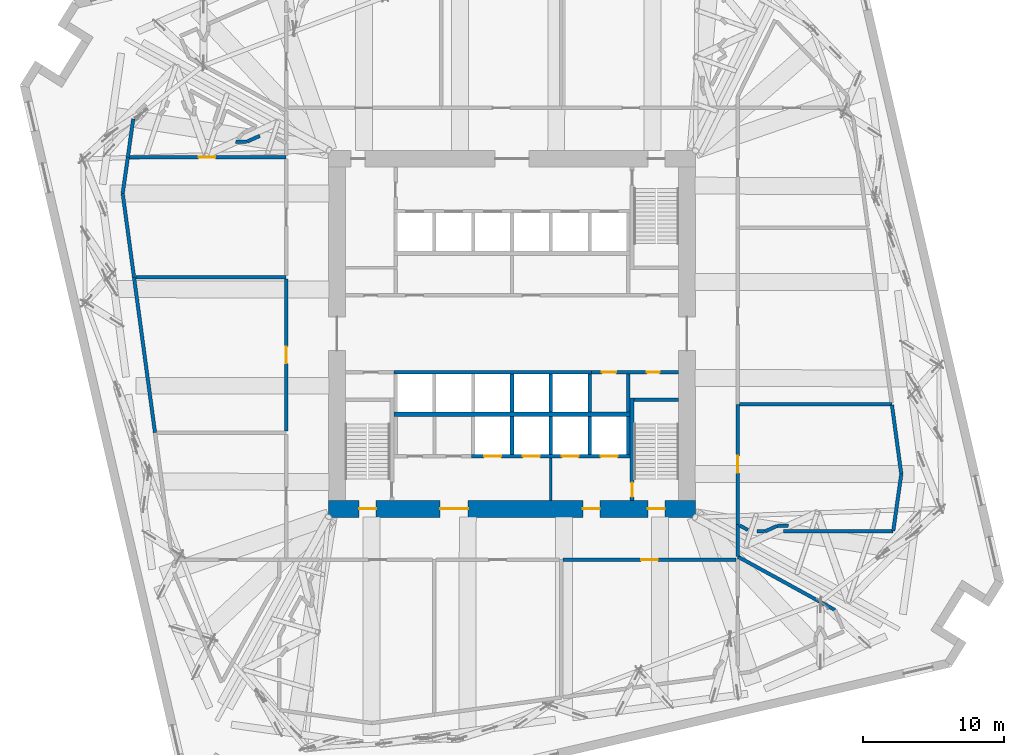
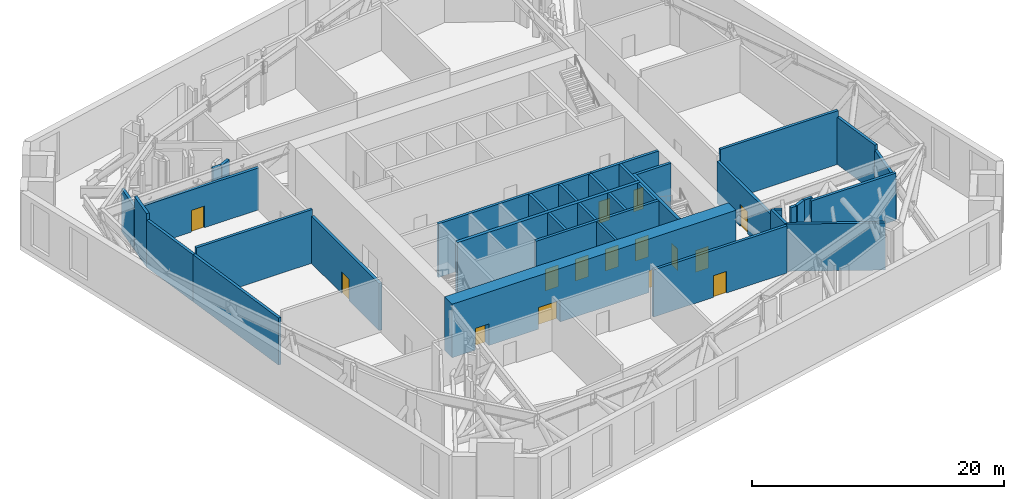
# One storey, part 9 of 17: 37 walls, 15 doors, 15 openings.
"""IFC4 building model written with IfcOpenShell, lengths in metres."""

import ifcopenshell
import ifcopenshell.guid

model = None  # the IFC model being written
_history = None  # IfcOwnerHistory: only IFC2X3 demands one
_inside = {}  # id of a spatial element -> (the spatial element, [elements in it])
_under = {}  # id of a project, library or spatial element -> (it, [spatial elements below it])
_declared = {}  # id of a project -> (the project, [libraries it declares])
_typed = {}  # id of a type object -> (the type object, [elements of that type])
_made_of = {}  # id of a material, layer set ... -> (it, [elements and type objects made of it])


def new_model(schema):
    """Start an empty IFC model of exactly this schema.

    Asked for "IFC4X3", IfcOpenShell would pick the latest addendum, in which some entities
    have other attributes; the version numbers below select the first issue.
    IFC2X3 requires an IfcOwnerHistory on every rooted entity: one is made here for all.
    """
    global model, _history
    if schema == "IFC4X3":
        model = ifcopenshell.file(schema_version=(4, 3, 0, 0))
    else:
        model = ifcopenshell.file(schema=schema)
    _inside.clear()
    _under.clear()
    _declared.clear()
    _typed.clear()
    _made_of.clear()
    _history = None
    if model.schema == "IFC2X3":
        org = make("IfcOrganization", Name="unknown")
        user = make(
            "IfcPersonAndOrganization",
            ThePerson=make("IfcPerson", FamilyName="unknown"),
            TheOrganization=org,
        )
        app = make(
            "IfcApplication",
            ApplicationDeveloper=org,
            Version="unknown",
            ApplicationFullName="unknown",
            ApplicationIdentifier="unknown",
        )
        _history = make(
            "IfcOwnerHistory",
            OwningUser=user,
            OwningApplication=app,
            ChangeAction="ADDED",
            CreationDate=0,
        )
    return model


def make(cls, **values):
    """One entity of the class cls with the attributes given. An attribute that is None is left unset."""
    return model.create_entity(
        cls, **{name: value for name, value in values.items() if value is not None}
    )


def rooted(cls, **values):
    """An entity with a GlobalId (a new one), such as an element, a storey or a relation."""
    return make(cls, GlobalId=ifcopenshell.guid.new(), OwnerHistory=_history, **values)


def si_unit(unit_type, name, prefix=None):
    """IfcSIUnit, for example si_unit("LENGTHUNIT", "METRE", prefix="MILLI")."""
    return make("IfcSIUnit", UnitType=unit_type, Prefix=prefix, Name=name)


def assignment(units):
    """IfcUnitAssignment: the units of a project."""
    return None if units is None else make("IfcUnitAssignment", Units=units)


def point(xyz):
    """IfcCartesianPoint."""
    return None if xyz is None else make("IfcCartesianPoint", Coordinates=xyz)


def direction(xyz):
    """IfcDirection."""
    return None if xyz is None else make("IfcDirection", DirectionRatios=xyz)


def frame(location, z_axis=None, x_axis=None):
    """IfcAxis2Placement3D, a coordinate frame: its origin and axes. An axis left out is left unset."""
    return make(
        "IfcAxis2Placement3D",
        Location=point(location),
        Axis=direction(z_axis),
        RefDirection=direction(x_axis),
    )


def frame_2d(location, x_axis=None):
    """IfcAxis2Placement2D, a coordinate frame in the plane: its origin and x axis."""
    return make(
        "IfcAxis2Placement2D", Location=point(location), RefDirection=direction(x_axis)
    )


def origin():
    """The frame at (0, 0, 0) with its axes left unset."""
    return frame((0.0, 0.0, 0.0))


def place(relative_to, where):
    """IfcLocalPlacement: puts the frame where relative to a parent placement (None: the world)."""
    return make(
        "IfcLocalPlacement", PlacementRelTo=relative_to, RelativePlacement=where
    )


def context(
    kind, dimensions, precision=None, world=None, true_north=None, identifier=None
):
    """IfcGeometricRepresentationContext, for example the 3D "Model" context."""
    return make(
        "IfcGeometricRepresentationContext",
        ContextIdentifier=identifier,
        ContextType=kind,
        CoordinateSpaceDimension=dimensions,
        Precision=precision,
        WorldCoordinateSystem=world,
        TrueNorth=true_north,
    )


def subcontext(parent, identifier, kind, view, scale=None):
    """IfcGeometricRepresentationSubContext, for example "Body" below "Model"."""
    return make(
        "IfcGeometricRepresentationSubContext",
        ContextIdentifier=identifier,
        ContextType=kind,
        ParentContext=parent,
        TargetScale=scale,
        TargetView=view,
    )


def project(units=None, contexts=None):
    """IfcProject with its units and contexts."""
    return rooted(
        "IfcProject",
        Name="project",
        RepresentationContexts=contexts,
        UnitsInContext=assignment(units),
    )


def spatial(cls, under=None, at=None, **own):
    """A site, building, storey or space (cls), placed at a placement, below another one or the project."""
    s = rooted(cls, ObjectPlacement=at, **own)
    if under is not None:
        _under.setdefault(under.id(), (under, []))[1].append(s)
    return s


def profile(cls, at=None, kind="AREA", **sizes):
    """A parametric profile (cls). Its sizes go by their IFC names, for example OverallWidth=200.0."""
    return make(cls, ProfileType=kind, Position=at, **sizes)


def rectangle(**sizes):
    """IfcRectangleProfileDef."""
    return profile("IfcRectangleProfileDef", **sizes)


def extrude(swept, where, along, depth):
    """IfcExtrudedAreaSolid: the profile swept, set in the frame where, extruded along a direction by depth."""
    return make(
        "IfcExtrudedAreaSolid",
        SweptArea=swept,
        Position=where,
        ExtrudedDirection=direction(along),
        Depth=depth,
    )


def shape(context_of_items, identifier, shape_type, items):
    """IfcShapeRepresentation: the items that make up one representation, for example the "Body"."""
    return make(
        "IfcShapeRepresentation",
        ContextOfItems=context_of_items,
        RepresentationIdentifier=identifier,
        RepresentationType=shape_type,
        Items=items,
    )


def material(Name=None, Category=None):
    """IfcMaterial."""
    return make("IfcMaterial", Name=Name, Category=Category)


def layer(
    of_material, thickness, ventilated=None, Name=None, Category=None, Priority=None
):
    """IfcMaterialLayer: one layer of a wall or slab, of a material (None: an air gap)."""
    return make(
        "IfcMaterialLayer",
        Material=of_material,
        LayerThickness=thickness,
        IsVentilated=ventilated,
        Name=Name,
        Category=Category,
        Priority=Priority,
    )


def layer_set(layers, Name=None):
    """IfcMaterialLayerSet."""
    return make("IfcMaterialLayerSet", MaterialLayers=layers, LayerSetName=Name)


def made_of(thing, what):
    """Note that an element or type object is made of a material, layer set ...; save() writes the relation."""
    if what is not None:
        _made_of.setdefault(what.id(), (what, []))[1].append(thing)
    return thing


def type_object(cls, material=None, **own):
    """A type object (cls), such as IfcWallType, which elements share."""
    return made_of(rooted(cls, **own), material)


def element(
    cls,
    number,
    at=None,
    inside=None,
    cuts=None,
    type_object=None,
    material=None,
    context=None,
    identifier="Body",
    shape_type=None,
    held_by="IfcProductDefinitionShape",
    body=None,
    shapes=None,
    **own,
):
    """One element of the class cls, such as IfcWall. Its Tag is "e" and its number.

    at: its placement. inside: the storey or other place that contains it. cuts: it is an
    opening in that element (IfcRelVoidsElement). A single representation is given by context,
    identifier, shape_type and body (its items); several are given by shapes. held_by: the class
    of the entity that holds the representations. save() writes the other relations.
    """
    e = rooted(cls, Tag="e%d" % number, ObjectPlacement=at, **own)
    if body is not None:
        shapes = [shape(context, identifier, shape_type, body)]
    if shapes is not None:
        e.Representation = make(held_by, Representations=shapes)
    if inside is not None:
        _inside.setdefault(inside.id(), (inside, []))[1].append(e)
    if cuts is not None:
        rooted(
            "IfcRelVoidsElement", RelatingBuildingElement=cuts, RelatedOpeningElement=e
        )
    if type_object is not None:
        _typed.setdefault(type_object.id(), (type_object, []))[1].append(e)
    return made_of(e, material)


def fill(opening, filler):
    """IfcRelFillsElement: the door or window that sits in an opening."""
    return rooted(
        "IfcRelFillsElement",
        RelatingOpeningElement=opening,
        RelatedBuildingElement=filler,
    )


def aggregate(whole, parts):
    """IfcRelAggregates: a whole, such as a stair, and the parts it consists of."""
    return rooted("IfcRelAggregates", RelatingObject=whole, RelatedObjects=parts)


def save(model, path):
    """Write the relations noted so far, then the file.

    IfcRelAggregates (storeys below a building ...), IfcRelContainedInSpatialStructure (elements
    in a storey), IfcRelDefinesByType, IfcRelAssociatesMaterial and IfcRelDeclares: one each for
    every whole, place, type object, material and project.
    """
    for whole, parts in _under.values():
        aggregate(whole, parts)
    for where, things in _inside.values():
        rooted(
            "IfcRelContainedInSpatialStructure",
            RelatedElements=things,
            RelatingStructure=where,
        )
    for kind, things in _typed.values():
        rooted("IfcRelDefinesByType", RelatedObjects=things, RelatingType=kind)
    for what, things in _made_of.values():
        rooted("IfcRelAssociatesMaterial", RelatedObjects=things, RelatingMaterial=what)
    for by, libraries in _declared.values():
        rooted("IfcRelDeclares", RelatingContext=by, RelatedDefinitions=libraries)
    model.write(path)


model = new_model("IFC4")

# Units and contexts
model_context = context("Model", 3, precision=1e-05, world=origin(), true_north=direction((0.0, 1.0)))
body_context = subcontext(model_context, "Body", "Model", "MODEL_VIEW")
ifc_project = project(units=[si_unit("LENGTHUNIT", "METRE"), si_unit("AREAUNIT", "SQUARE_METRE"), si_unit("VOLUMEUNIT", "CUBIC_METRE"), si_unit("PLANEANGLEUNIT", "RADIAN"), si_unit("MASSUNIT", "GRAM", prefix="KILO")], contexts=[model_context])

# Site, building, storey
site_placement = place(None, origin())
site = spatial("IfcSite", under=ifc_project, at=site_placement, CompositionType="ELEMENT")
building_placement = place(site_placement, origin())
building = spatial("IfcBuilding", under=site, at=building_placement, Name="Dilmun Exchange Tower", CompositionType="ELEMENT")
storey_placement = place(building_placement, frame((0.0, 0.0, 76.5)))
storey = spatial("IfcBuildingStorey", under=building, at=storey_placement, Name="L17", CompositionType="ELEMENT", Elevation=76.5)

# Walls
ifc_material_1 = material(Name="Concrete C40/50", Category="concrete")
ifc_layer_1 = layer(ifc_material_1, 0.199951171875)
ifc_layer_set_1 = layer_set([ifc_layer_1], Name="Concrete C40/50")
wall_type_1 = type_object("IfcWallType", Name="Core partition wall 200", PredefinedType="PARTITIONING", material=ifc_layer_set_1)
wall_1_placement = place(storey_placement, frame((2.75, -11.794921875, 0.0), z_axis=(0.0, 0.0, 1.0), x_axis=(0.0, 1.0, 0.0)))
element("IfcWall", 1, at=wall_1_placement, inside=storey, type_object=wall_type_1, Name="L17 core partition wall 01", PredefinedType="PARTITIONING", context=body_context, shape_type="SweptSolid", body=[
    extrude(rectangle(XDim=2.989990234375, YDim=0.199951171875, at=frame_2d((1.4951171875, 0.0))), origin(), (0.0, 0.0, 1.0), 5.179931640625),
])
ifc_layer_2 = layer(ifc_material_1, 0.25)
ifc_layer_set_2 = layer_set([ifc_layer_2], Name="Concrete C40/50")
wall_type_2 = type_object("IfcWallType", Name="Core partition wall 250", PredefinedType="PARTITIONING", material=ifc_layer_set_2)
wall_2_placement = place(storey_placement, frame((8.25, -5.544921875, 0.0), z_axis=(0.0, 0.0, 1.0), x_axis=(0.0, 1.0, 0.0)))
element("IfcWall", 2, at=wall_2_placement, inside=storey, type_object=wall_type_2, Name="L17 core partition wall 05", PredefinedType="PARTITIONING", context=body_context, shape_type="SweptSolid", body=[
    extrude(rectangle(XDim=2.68994140625, YDim=0.25, at=frame_2d((1.344970703125, 0.0))), origin(), (0.0, 0.0, 1.0), 5.179931640625),
])

# Wall, openings, doors
wall_3_placement = place(storey_placement, frame((5.6298828125, -2.72509765625, 0.0), z_axis=(0.0, 0.0, 1.0), x_axis=(1.0, 0.0, 0.0)))
wall_3 = element("IfcWall", 3, at=wall_3_placement, inside=storey, type_object=wall_type_2, Name="L17 core partition wall 07", PredefinedType="PARTITIONING", context=body_context, shape_type="SweptSolid", body=[
    extrude(rectangle(XDim=6.1650390625, YDim=0.25, at=frame_2d((3.08251953125, 0.0))), origin(), (0.0, 0.0, 1.0), 5.179931640625),
])
opening_1_placement = place(wall_3_placement, frame((0.7451171875, 0.0, 0.0)))
opening_1 = element("IfcOpeningElement", 4, at=opening_1_placement, cuts=wall_3, Name="Opening CD4", PredefinedType="OPENING", context=body_context, shape_type="SweptSolid", body=[
    extrude(rectangle(XDim=1.0, YDim=2.10009765625, at=frame_2d((0.5, 1.050048828125))), frame((0.0, 0.135009765625, 0.0), z_axis=(0.0, -1.0, 0.0), x_axis=(1.0, 0.0, 0.0)), (0.0, 0.0, 1.0), 0.27001953125),
])
opening_2_placement = place(wall_3_placement, frame((3.919921875, 0.0, 0.0)))
opening_2 = element("IfcOpeningElement", 5, at=opening_2_placement, cuts=wall_3, Name="Opening CD6", PredefinedType="OPENING", context=body_context, shape_type="SweptSolid", body=[
    extrude(rectangle(XDim=0.89990234375, YDim=2.10009765625, at=frame_2d((0.449951171875, 1.050048828125))), frame((0.0, 0.135009765625, 0.0), z_axis=(0.0, -1.0, 0.0), x_axis=(1.0, 0.0, 0.0)), (0.0, 0.0, 1.0), 0.27001953125),
])
ifc_material_2 = material(Name="Fire-rated steel door set", Category="steel")
door_type_1 = type_object("IfcDoorType", Name="Core room door 1000x2100", OperationType="SINGLE_SWING_LEFT", PredefinedType="DOOR", material=ifc_material_2)
door_1_placement = place(opening_1_placement, origin())
door_1 = element("IfcDoor", 6, at=door_1_placement, inside=storey, type_object=door_type_1, Name="L17 door Cleaners' store", OperationType="SINGLE_SWING_RIGHT", OverallHeight=2.10009765625, OverallWidth=1.0, PredefinedType="DOOR", context=body_context, shape_type="SweptSolid", body=[
    extrude(rectangle(XDim=1.0, YDim=2.10009765625, at=frame_2d((0.5, 1.050048828125))), frame((0.0, 0.02490234375, 0.0), z_axis=(0.0, -1.0, 0.0), x_axis=(1.0, 0.0, 0.0)), (0.0, 0.0, 1.0), 0.050048828125),
])
fill(opening_1, door_1)
door_type_2 = type_object("IfcDoorType", Name="Core room door 900x2100", OperationType="SINGLE_SWING_LEFT", PredefinedType="DOOR", material=ifc_material_2)
door_2_placement = place(opening_2_placement, origin())
door_2 = element("IfcDoor", 7, at=door_2_placement, inside=storey, type_object=door_type_2, Name="L17 door Comms riser", OperationType="SINGLE_SWING_RIGHT", OverallHeight=2.10009765625, OverallWidth=0.89990234375, PredefinedType="DOOR", context=body_context, shape_type="SweptSolid", body=[
    extrude(rectangle(XDim=0.89990234375, YDim=2.10009765625, at=frame_2d((0.449951171875, 1.050048828125))), frame((0.0, 0.02490234375, 0.0), z_axis=(0.0, -1.0, 0.0), x_axis=(1.0, 0.0, 0.0)), (0.0, 0.0, 1.0), 0.050048828125),
])
fill(opening_2, door_2)

ifc_material_3 = material(Name="Concrete C80/95", Category="concrete")
ifc_layer_3 = layer(ifc_material_3, 1.199951171875)
ifc_layer_set_3 = layer_set([ifc_layer_3], Name="Concrete C80/95")
wall_type_3 = type_object("IfcWallType", Name="Core shear wall 1200 Concrete C80/95", PredefinedType="SHEAR", material=ifc_layer_set_3)
wall_4_placement = place(storey_placement, frame((-13.0, -12.39990234375, 0.0), z_axis=(0.0, 0.0, 1.0), x_axis=(1.0, 0.0, 0.0)))
wall_4 = element("IfcWall", 8, at=wall_4_placement, inside=storey, type_object=wall_type_3, Name="L17 core shear wall S", PredefinedType="SHEAR", context=body_context, shape_type="SweptSolid", body=[
    extrude(rectangle(XDim=26.0, YDim=1.199951171875, at=frame_2d((13.0, 0.0))), origin(), (0.0, 0.0, 1.0), 5.179931640625),
])
opening_3_placement = place(wall_4_placement, frame((7.89990234375, 0.0, 0.0)))
opening_3 = element("IfcOpeningElement", 9, at=opening_3_placement, cuts=wall_4, Name="Opening CD2", PredefinedType="OPENING", context=body_context, shape_type="SweptSolid", body=[
    extrude(rectangle(XDim=2.0, YDim=2.10009765625, at=frame_2d((1.0, 1.050048828125))), frame((0.0, 0.60986328125, 0.0), z_axis=(0.0, -1.0, 0.0), x_axis=(1.0, 0.0, 0.0)), (0.0, 0.0, 1.0), 1.219970703125),
])
opening_4_placement = place(wall_4_placement, frame((18.02490234375, 0.0, 0.0)))
opening_4 = element("IfcOpeningElement", 10, at=opening_4_placement, cuts=wall_4, Name="Opening CD3", PredefinedType="OPENING", context=body_context, shape_type="SweptSolid", body=[
    extrude(rectangle(XDim=1.199951171875, YDim=2.10009765625, at=frame_2d((0.60009765625, 1.050048828125))), frame((0.0, 0.60986328125, 0.0), z_axis=(0.0, -1.0, 0.0), x_axis=(1.0, 0.0, 0.0)), (0.0, 0.0, 1.0), 1.219970703125),
])
opening_5_placement = place(wall_4_placement, frame((2.175048828125, 0.0, 0.0)))
opening_5 = element("IfcOpeningElement", 11, at=opening_5_placement, cuts=wall_4, Name="Opening CD3", PredefinedType="OPENING", context=body_context, shape_type="SweptSolid", body=[
    extrude(rectangle(XDim=1.199951171875, YDim=2.10009765625, at=frame_2d((0.60009765625, 1.050048828125))), frame((0.0, 0.60986328125, 0.0), z_axis=(0.0, -1.0, 0.0), x_axis=(1.0, 0.0, 0.0)), (0.0, 0.0, 1.0), 1.219970703125),
])
opening_6_placement = place(wall_4_placement, frame((22.625, 0.0, 0.0)))
opening_6 = element("IfcOpeningElement", 12, at=opening_6_placement, cuts=wall_4, Name="Opening CD3", PredefinedType="OPENING", context=body_context, shape_type="SweptSolid", body=[
    extrude(rectangle(XDim=1.199951171875, YDim=2.10009765625, at=frame_2d((0.60009765625, 1.050048828125))), frame((0.0, 0.60986328125, 0.0), z_axis=(0.0, -1.0, 0.0), x_axis=(1.0, 0.0, 0.0)), (0.0, 0.0, 1.0), 1.219970703125),
])
door_type_3 = type_object("IfcDoorType", Name="Core service door 2000x2100", OperationType="DOUBLE_DOOR_DOUBLE_SWING", PredefinedType="DOOR", material=ifc_material_2)
door_3_placement = place(opening_3_placement, origin())
door_3 = element("IfcDoor", 13, at=door_3_placement, inside=storey, type_object=door_type_3, Name="L17 door South service lobby", OperationType="SINGLE_SWING_LEFT", OverallHeight=2.10009765625, OverallWidth=2.0, PredefinedType="DOOR", context=body_context, shape_type="SweptSolid", body=[
    extrude(rectangle(XDim=2.0, YDim=2.10009765625, at=frame_2d((1.0, 1.050048828125))), frame((0.0, 0.02490234375, 0.0), z_axis=(0.0, -1.0, 0.0), x_axis=(1.0, 0.0, 0.0)), (0.0, 0.0, 1.0), 0.050048828125),
])
fill(opening_3, door_3)
door_type_4 = type_object("IfcDoorType", Name="Stair exit door 1200x2100", OperationType="SINGLE_SWING_LEFT", PredefinedType="DOOR", material=ifc_material_2)
door_4_placement = place(opening_4_placement, origin())
door_4 = element("IfcDoor", 14, at=door_4_placement, inside=storey, type_object=door_type_4, Name="L17 door Fire-fighting lobby", OperationType="SINGLE_SWING_LEFT", OverallHeight=2.10009765625, OverallWidth=1.199951171875, PredefinedType="DOOR", context=body_context, shape_type="SweptSolid", body=[
    extrude(rectangle(XDim=1.199951171875, YDim=2.10009765625, at=frame_2d((0.60009765625, 1.050048828125))), frame((0.0, 0.02490234375, 0.0), z_axis=(0.0, -1.0, 0.0), x_axis=(1.0, 0.0, 0.0)), (0.0, 0.0, 1.0), 0.050048828125),
])
fill(opening_4, door_4)
door_5_placement = place(opening_5_placement, origin())
door_5 = element("IfcDoor", 15, at=door_5_placement, inside=storey, type_object=door_type_4, Name="L17 door Stair ST2", OperationType="SINGLE_SWING_LEFT", OverallHeight=2.10009765625, OverallWidth=1.199951171875, PredefinedType="DOOR", context=body_context, shape_type="SweptSolid", body=[
    extrude(rectangle(XDim=1.199951171875, YDim=2.10009765625, at=frame_2d((0.60009765625, 1.050048828125))), frame((0.0, 0.02490234375, 0.0), z_axis=(0.0, -1.0, 0.0), x_axis=(1.0, 0.0, 0.0)), (0.0, 0.0, 1.0), 0.050048828125),
])
fill(opening_5, door_5)
door_6_placement = place(opening_6_placement, origin())
door_6 = element("IfcDoor", 16, at=door_6_placement, inside=storey, type_object=door_type_4, Name="L17 door Stair ST3", OperationType="SINGLE_SWING_LEFT", OverallHeight=2.10009765625, OverallWidth=1.199951171875, PredefinedType="DOOR", context=body_context, shape_type="SweptSolid", body=[
    extrude(rectangle(XDim=1.199951171875, YDim=2.10009765625, at=frame_2d((0.60009765625, 1.050048828125))), frame((0.0, 0.02490234375, 0.0), z_axis=(0.0, -1.0, 0.0), x_axis=(1.0, 0.0, 0.0)), (0.0, 0.0, 1.0), 0.050048828125),
])
fill(opening_6, door_6)

# Walls
ifc_layer_4 = layer(ifc_material_1, 0.300048828125)
ifc_layer_set_4 = layer_set([ifc_layer_4], Name="Concrete C40/50")
wall_type_4 = type_object("IfcWallType", Name="Lift shaft shared wall 300", PredefinedType="SOLIDWALL", material=ifc_layer_set_4)
wall_5_placement = place(storey_placement, frame((-8.375, -5.699951171875, 0.0), z_axis=(0.0, 0.0, 1.0), x_axis=(1.0, 0.0, 0.0)))
element("IfcWall", 17, at=wall_5_placement, inside=storey, type_object=wall_type_4, Name="L17 lift shaft rear wall S", PredefinedType="SOLIDWALL", context=body_context, shape_type="SweptSolid", body=[
    extrude(rectangle(XDim=16.75, YDim=0.300048828125, at=frame_2d((8.375, 0.0))), origin(), (0.0, 0.0, 1.0), 5.179931640625),
])
ifc_layer_5 = layer(ifc_material_1, 0.25)
ifc_layer_set_5 = layer_set([ifc_layer_5], Name="Concrete C40/50")
wall_type_5 = type_object("IfcWallType", Name="Lift shaft wall 250", PredefinedType="SOLIDWALL", material=ifc_layer_set_5)
wall_6_placement = place(storey_placement, frame((-8.375, -2.72509765625, 0.0), z_axis=(0.0, 0.0, 1.0), x_axis=(1.0, 0.0, 0.0)))
element("IfcWall", 18, at=wall_6_placement, inside=storey, type_object=wall_type_5, Name="L17 lift shaft front wall S1", PredefinedType="SOLIDWALL", context=body_context, shape_type="SweptSolid", body=[
    extrude(rectangle(XDim=14.0, YDim=0.25, at=frame_2d((7.0, 0.0))), origin(), (0.0, 0.0, 1.0), 5.179931640625),
])
for number, where, z_axis, x_axis, name in (
    (19, (0.0, -5.550048828125, 0.0), (0.0, 0.0, 1.0), (0.0, 1.0, 0.0), "L17 lift shaft divider S13"),
    (20, (2.75, -5.550048828125, 0.0), (0.0, 0.0, 1.0), (0.0, 1.0, 0.0), "L17 lift shaft divider S14"),
    (21, (5.5, -5.550048828125, 0.0), (0.0, 0.0, 1.0), (0.0, 1.0, 0.0), "L17 lift shaft divider S15"),
):
    element("IfcWall", number, at=place(storey_placement, frame(where, z_axis=z_axis, x_axis=x_axis)), inside=storey, type_object=wall_type_5, Name=name, PredefinedType="SOLIDWALL", context=body_context, shape_type="SweptSolid", body=[
        extrude(rectangle(XDim=2.699951171875, YDim=0.25, at=frame_2d((1.35009765625, 0.0))), origin(), (0.0, 0.0, 1.0), 5.179931640625),
    ])

# Wall, openings, doors
wall_7_placement = place(storey_placement, frame((-2.875, -8.675048828125, 0.0), z_axis=(0.0, 0.0, 1.0), x_axis=(1.0, 0.0, 0.0)))
wall_7 = element("IfcWall", 22, at=wall_7_placement, inside=storey, type_object=wall_type_5, Name="L17 lift shaft front wall S2", PredefinedType="SOLIDWALL", context=body_context, shape_type="SweptSolid", body=[
    extrude(rectangle(XDim=11.25, YDim=0.25, at=frame_2d((5.625, 0.0))), origin(), (0.0, 0.0, 1.0), 5.179931640625),
])
opening_7_placement = place(wall_7_placement, frame((0.89990234375, 0.0, 0.0)))
opening_7 = element("IfcOpeningElement", 23, at=opening_7_placement, cuts=wall_7, Name="Opening LD", PredefinedType="OPENING", context=body_context, shape_type="SweptSolid", body=[
    extrude(rectangle(XDim=1.199951171875, YDim=2.10009765625, at=frame_2d((0.60009765625, 1.050048828125))), frame((0.0, 0.135009765625, 0.0), z_axis=(0.0, -1.0, 0.0), x_axis=(1.0, 0.0, 0.0)), (0.0, 0.0, 1.0), 0.27001953125),
])
opening_8_placement = place(wall_7_placement, frame((3.64990234375, 0.0, 0.0)))
opening_8 = element("IfcOpeningElement", 24, at=opening_8_placement, cuts=wall_7, Name="Opening LD", PredefinedType="OPENING", context=body_context, shape_type="SweptSolid", body=[
    extrude(rectangle(XDim=1.199951171875, YDim=2.10009765625, at=frame_2d((0.60009765625, 1.050048828125))), frame((0.0, 0.135009765625, 0.0), z_axis=(0.0, -1.0, 0.0), x_axis=(1.0, 0.0, 0.0)), (0.0, 0.0, 1.0), 0.27001953125),
])
opening_9_placement = place(wall_7_placement, frame((6.39990234375, 0.0, 0.0)))
opening_9 = element("IfcOpeningElement", 25, at=opening_9_placement, cuts=wall_7, Name="Opening LD", PredefinedType="OPENING", context=body_context, shape_type="SweptSolid", body=[
    extrude(rectangle(XDim=1.199951171875, YDim=2.10009765625, at=frame_2d((0.60009765625, 1.050048828125))), frame((0.0, 0.135009765625, 0.0), z_axis=(0.0, -1.0, 0.0), x_axis=(1.0, 0.0, 0.0)), (0.0, 0.0, 1.0), 0.27001953125),
])
opening_10_placement = place(wall_7_placement, frame((9.14990234375, 0.0, 0.0)))
opening_10 = element("IfcOpeningElement", 26, at=opening_10_placement, cuts=wall_7, Name="Opening LD", PredefinedType="OPENING", context=body_context, shape_type="SweptSolid", body=[
    extrude(rectangle(XDim=1.199951171875, YDim=2.10009765625, at=frame_2d((0.60009765625, 1.050048828125))), frame((0.0, 0.135009765625, 0.0), z_axis=(0.0, -1.0, 0.0), x_axis=(1.0, 0.0, 0.0)), (0.0, 0.0, 1.0), 0.27001953125),
])
door_type_5 = type_object("IfcDoorType", Name="Lift landing door 1200x2100", OperationType="DOUBLE_DOOR_SLIDING", PredefinedType="DOOR", material=ifc_material_2)
door_7_placement = place(opening_7_placement, origin())
door_7 = element("IfcDoor", 27, at=door_7_placement, inside=storey, type_object=door_type_5, Name="L17 landing door SV1", OperationType="DOUBLE_DOOR_SLIDING", OverallHeight=2.10009765625, OverallWidth=1.199951171875, PredefinedType="DOOR", context=body_context, shape_type="SweptSolid", body=[
    extrude(rectangle(XDim=1.199951171875, YDim=2.10009765625, at=frame_2d((0.60009765625, 1.050048828125))), frame((0.0, 0.02490234375, 0.0), z_axis=(0.0, -1.0, 0.0), x_axis=(1.0, 0.0, 0.0)), (0.0, 0.0, 1.0), 0.050048828125),
])
fill(opening_7, door_7)
door_8_placement = place(opening_8_placement, origin())
door_8 = element("IfcDoor", 28, at=door_8_placement, inside=storey, type_object=door_type_5, Name="L17 landing door SV2", OperationType="DOUBLE_DOOR_SLIDING", OverallHeight=2.10009765625, OverallWidth=1.199951171875, PredefinedType="DOOR", context=body_context, shape_type="SweptSolid", body=[
    extrude(rectangle(XDim=1.199951171875, YDim=2.10009765625, at=frame_2d((0.60009765625, 1.050048828125))), frame((0.0, 0.02490234375, 0.0), z_axis=(0.0, -1.0, 0.0), x_axis=(1.0, 0.0, 0.0)), (0.0, 0.0, 1.0), 0.050048828125),
])
fill(opening_8, door_8)
door_9_placement = place(opening_9_placement, origin())
door_9 = element("IfcDoor", 29, at=door_9_placement, inside=storey, type_object=door_type_5, Name="L17 landing door FF1", OperationType="DOUBLE_DOOR_SLIDING", OverallHeight=2.10009765625, OverallWidth=1.199951171875, PredefinedType="DOOR", context=body_context, shape_type="SweptSolid", body=[
    extrude(rectangle(XDim=1.199951171875, YDim=2.10009765625, at=frame_2d((0.60009765625, 1.050048828125))), frame((0.0, 0.02490234375, 0.0), z_axis=(0.0, -1.0, 0.0), x_axis=(1.0, 0.0, 0.0)), (0.0, 0.0, 1.0), 0.050048828125),
])
fill(opening_9, door_9)
door_10_placement = place(opening_10_placement, origin())
door_10 = element("IfcDoor", 30, at=door_10_placement, inside=storey, type_object=door_type_5, Name="L17 landing door FF2", OperationType="DOUBLE_DOOR_SLIDING", OverallHeight=2.10009765625, OverallWidth=1.199951171875, PredefinedType="DOOR", context=body_context, shape_type="SweptSolid", body=[
    extrude(rectangle(XDim=1.199951171875, YDim=2.10009765625, at=frame_2d((0.60009765625, 1.050048828125))), frame((0.0, 0.02490234375, 0.0), z_axis=(0.0, -1.0, 0.0), x_axis=(1.0, 0.0, 0.0)), (0.0, 0.0, 1.0), 0.050048828125),
])
fill(opening_10, door_10)

# Walls
for number, where, z_axis, x_axis, name in (
    (31, (0.0, -8.550048828125, 0.0), (0.0, 0.0, 1.0), (0.0, 1.0, 0.0), "L17 lift shaft divider S23"),
    (32, (2.75, -8.550048828125, 0.0), (0.0, 0.0, 1.0), (0.0, 1.0, 0.0), "L17 lift shaft divider S24"),
    (33, (5.5, -8.550048828125, 0.0), (0.0, 0.0, 1.0), (0.0, 1.0, 0.0), "L17 lift shaft divider S25"),
    (34, (8.25, -8.550048828125, 0.0), (0.0, 0.0, 1.0), (0.0, 1.0, 0.0), "L17 lift shaft divider S26"),
):
    element("IfcWall", number, at=place(storey_placement, frame(where, z_axis=z_axis, x_axis=x_axis)), inside=storey, type_object=wall_type_5, Name=name, PredefinedType="SOLIDWALL", context=body_context, shape_type="SweptSolid", body=[
        extrude(rectangle(XDim=2.699951171875, YDim=0.25, at=frame_2d((1.35009765625, 0.0))), origin(), (0.0, 0.0, 1.0), 5.179931640625),
    ])

# Wall, opening, door
ifc_material_4 = material(Name="Concrete C32/40", Category="concrete")
ifc_layer_6 = layer(ifc_material_4, 0.25)
ifc_layer_set_6 = layer_set([ifc_layer_6], Name="Concrete C32/40")
wall_type_6 = type_object("IfcWallType", Name="Plant room wall 250", PredefinedType="PARTITIONING", material=ifc_layer_set_6)
wall_8_placement = place(storey_placement, frame((3.6298828125, -16.0, 0.0), z_axis=(0.0, 0.0, 1.0), x_axis=(1.0, 0.0, 0.0)))
wall_8 = element("IfcWall", 35, at=wall_8_placement, inside=storey, type_object=wall_type_6, Name="L17 plant room wall 45", PredefinedType="PARTITIONING", context=body_context, shape_type="SweptSolid", body=[
    extrude(rectangle(XDim=12.240234375, YDim=0.25, at=frame_2d((6.1201171875, 0.0))), origin(), (0.0, 0.0, 1.0), 4.56005859375),
])
opening_11_placement = place(wall_8_placement, frame((5.510009765625, 0.0, 0.0)))
opening_11 = element("IfcOpeningElement", 36, at=opening_11_placement, cuts=wall_8, Name="Opening PD2", PredefinedType="OPENING", context=body_context, shape_type="SweptSolid", body=[
    extrude(rectangle(XDim=1.199951171875, YDim=2.10009765625, at=frame_2d((0.60009765625, 1.050048828125))), frame((0.0, 0.135009765625, 0.0), z_axis=(0.0, -1.0, 0.0), x_axis=(1.0, 0.0, 0.0)), (0.0, 0.0, 1.0), 0.27001953125),
])
door_type_6 = type_object("IfcDoorType", Name="Plant room door 1200x2100", OperationType="SINGLE_SWING_LEFT", PredefinedType="DOOR", material=ifc_material_2)
door_11_placement = place(opening_11_placement, origin())
door_11 = element("IfcDoor", 37, at=door_11_placement, inside=storey, type_object=door_type_6, Name="L17 door AHU room", OperationType="SINGLE_SWING_RIGHT", OverallHeight=2.10009765625, OverallWidth=1.199951171875, PredefinedType="DOOR", context=body_context, shape_type="SweptSolid", body=[
    extrude(rectangle(XDim=1.199951171875, YDim=2.10009765625, at=frame_2d((0.60009765625, 1.050048828125))), frame((0.0, 0.02490234375, 0.0), z_axis=(0.0, -1.0, 0.0), x_axis=(1.0, 0.0, 0.0)), (0.0, 0.0, 1.0), 0.050048828125),
])
fill(opening_11, door_11)

# Walls
wall_9_placement = place(storey_placement, frame((16.0, -15.7880859375, 0.0), z_axis=(0.0, 0.0, 1.0), x_axis=(0.0, 1.0, 0.0)))
element("IfcWall", 38, at=wall_9_placement, inside=storey, type_object=wall_type_6, Name="L17 plant room wall 46", PredefinedType="PARTITIONING", context=body_context, shape_type="SweptSolid", body=[
    extrude(rectangle(XDim=2.281494140625, YDim=0.25, at=frame_2d((1.140625, 0.0))), origin(), (0.0, 0.0, 1.0), 4.56005859375),
])
wall_10_placement = place(storey_placement, frame((16.009033203125, -15.793212890625, 0.0), z_axis=(0.0, 0.0, 1.0), x_axis=(0.876557436402, -0.481297268524, 0.0)))
element("IfcWall", 39, at=wall_10_placement, inside=storey, type_object=wall_type_6, Name="L17 plant room wall 47", PredefinedType="PARTITIONING", context=body_context, shape_type="SweptSolid", body=[
    extrude(rectangle(XDim=7.84326171875, YDim=0.25, at=frame_2d((3.921630859375, 0.0))), origin(), (0.0, 0.0, 1.0), 4.56005859375),
])
wall_11_placement = place(storey_placement, frame((17.368408203125, -14.0, 0.0), z_axis=(0.0, 0.0, 1.0), x_axis=(1.0, 0.0, 0.0)))
element("IfcWall", 40, at=wall_11_placement, inside=storey, type_object=wall_type_6, Name="L17 plant room wall 49", PredefinedType="PARTITIONING", context=body_context, shape_type="SweptSolid", body=[
    extrude(rectangle(XDim=0.5107421875, YDim=0.25, at=frame_2d((0.25537109375, 0.0))), origin(), (0.0, 0.0, 1.0), 4.56005859375),
])
wall_12_placement = place(storey_placement, frame((19.25146484375, -14.0, 0.0), z_axis=(0.0, 0.0, 1.0), x_axis=(1.0, 0.0, 0.0)))
element("IfcWall", 41, at=wall_12_placement, inside=storey, type_object=wall_type_6, Name="L17 plant room wall 50", PredefinedType="PARTITIONING", context=body_context, shape_type="SweptSolid", body=[
    extrude(rectangle(XDim=7.75244140625, YDim=0.25, at=frame_2d((3.876220703125, 0.0))), origin(), (0.0, 0.0, 1.0), 4.56005859375),
])
wall_13_placement = place(storey_placement, frame((16.1298828125, -13.577880859375, 0.0), z_axis=(0.0, 0.0, 1.0), x_axis=(0.876674684552, -0.481083669923, 0.0)))
element("IfcWall", 42, at=wall_13_placement, inside=storey, type_object=wall_type_6, Name="L17 plant room wall 51", PredefinedType="PARTITIONING", context=body_context, shape_type="SweptSolid", body=[
    extrude(rectangle(XDim=0.651123046875, YDim=0.25, at=frame_2d((0.32568359375, 0.0))), origin(), (0.0, 0.0, 1.0), 4.56005859375),
])
wall_14_placement = place(storey_placement, frame((18.80908203125, -13.603515625, 0.0), z_axis=(0.0, 0.0, 1.0), x_axis=(0.999944069042, -0.010576331499, 0.0)))
element("IfcWall", 43, at=wall_14_placement, inside=storey, type_object=wall_type_6, Name="L17 plant room wall 52", PredefinedType="PARTITIONING", context=body_context, shape_type="SweptSolid", body=[
    extrude(rectangle(XDim=0.76171875, YDim=0.25, at=frame_2d((0.380859375, 0.0))), origin(), (0.0, 0.0, 1.0), 4.56005859375),
])
wall_15_placement = place(storey_placement, frame((17.924072265625, -13.997802734375, 0.0), z_axis=(0.0, 0.0, 1.0), x_axis=(0.910810537866, 0.41282461665, 0.0)))
element("IfcWall", 44, at=wall_15_placement, inside=storey, type_object=wall_type_6, Name="L17 plant room wall 53", PredefinedType="PARTITIONING", context=body_context, shape_type="SweptSolid", body=[
    extrude(rectangle(XDim=0.9404296875, YDim=0.25, at=frame_2d((0.47021484375, 0.0))), origin(), (0.0, 0.0, 1.0), 4.56005859375),
])

# Wall, opening, door
wall_16_placement = place(storey_placement, frame((16.0, -13.50146484375, 0.0), z_axis=(0.0, 0.0, 1.0), x_axis=(0.0, 1.0, 0.0)))
wall_16 = element("IfcWall", 45, at=wall_16_placement, inside=storey, type_object=wall_type_6, Name="L17 plant room wall 54", PredefinedType="PARTITIONING", context=body_context, shape_type="SweptSolid", body=[
    extrude(rectangle(XDim=8.50146484375, YDim=0.25, at=frame_2d((4.250732421875, 0.0))), origin(), (0.0, 0.0, 1.0), 4.06005859375),
])
opening_12_placement = place(wall_16_placement, frame((3.64697265625, 0.0, 0.0)))
opening_12 = element("IfcOpeningElement", 46, at=opening_12_placement, cuts=wall_16, Name="Opening PD2", PredefinedType="OPENING", context=body_context, shape_type="SweptSolid", body=[
    extrude(rectangle(XDim=1.199951171875, YDim=2.10009765625, at=frame_2d((0.60009765625, 1.050048828125))), frame((0.0, 0.135009765625, 0.0), z_axis=(0.0, -1.0, 0.0), x_axis=(1.0, 0.0, 0.0)), (0.0, 0.0, 1.0), 0.27001953125),
])
door_12_placement = place(opening_12_placement, origin())
door_12 = element("IfcDoor", 47, at=door_12_placement, inside=storey, type_object=door_type_6, Name="L17 door Transformer room", OperationType="SINGLE_SWING_LEFT", OverallHeight=2.10009765625, OverallWidth=1.199951171875, PredefinedType="DOOR", context=body_context, shape_type="SweptSolid", body=[
    extrude(rectangle(XDim=1.199951171875, YDim=2.10009765625, at=frame_2d((0.60009765625, 1.050048828125))), frame((0.0, 0.02490234375, 0.0), z_axis=(0.0, -1.0, 0.0), x_axis=(1.0, 0.0, 0.0)), (0.0, 0.0, 1.0), 0.050048828125),
])
fill(opening_12, door_12)

# Walls
wall_17_placement = place(storey_placement, frame((27.009033203125, -13.964599609375, 0.0), z_axis=(0.0, 0.0, 1.0), x_axis=(0.140134617206, 0.990132460361, 0.0)))
element("IfcWall", 48, at=wall_17_placement, inside=storey, type_object=wall_type_6, Name="L17 plant room wall 55", PredefinedType="PARTITIONING", context=body_context, shape_type="SweptSolid", body=[
    extrude(rectangle(XDim=4.064453125, YDim=0.25, at=frame_2d((2.0322265625, 0.0))), origin(), (0.0, 0.0, 1.0), 4.06005859375),
])
wall_18_placement = place(storey_placement, frame((-26.776611328125, 4.0, 0.0), z_axis=(0.0, 0.0, 1.0), x_axis=(0.133854233803, -0.991001031328, 0.0)))
element("IfcWall", 49, at=wall_18_placement, inside=storey, type_object=wall_type_6, Name="L17 plant room wall 56", PredefinedType="PARTITIONING", context=body_context, shape_type="SweptSolid", body=[
    extrude(rectangle(XDim=11.094970703125, YDim=0.25, at=frame_2d((5.54736328125, 0.0))), origin(), (0.0, 0.0, 1.0), 4.56005859375),
])
wall_19_placement = place(storey_placement, frame((16.1298828125, -5.0, 0.0), z_axis=(0.0, 0.0, 1.0), x_axis=(1.0, 0.0, 0.0)))
element("IfcWall", 50, at=wall_19_placement, inside=storey, type_object=wall_type_6, Name="L17 plant room wall 60", PredefinedType="PARTITIONING", context=body_context, shape_type="SweptSolid", body=[
    extrude(rectangle(XDim=10.78173828125, YDim=0.25, at=frame_2d((5.390869140625, 0.0))), origin(), (0.0, 0.0, 1.0), 5.179931640625),
])
wall_20_placement = place(storey_placement, frame((26.91650390625, -5.037109375, 0.0), z_axis=(0.0, 0.0, 1.0), x_axis=(0.133816939393, -0.991006067959, 0.0)))
element("IfcWall", 51, at=wall_20_placement, inside=storey, type_object=wall_type_6, Name="L17 plant room wall 61", PredefinedType="PARTITIONING", context=body_context, shape_type="SweptSolid", body=[
    extrude(rectangle(XDim=4.9423828125, YDim=0.25, at=frame_2d((2.47119140625, 0.0))), origin(), (0.0, 0.0, 1.0), 4.56005859375),
])
wall_21_placement = place(storey_placement, frame((-27.57861328125, 9.940185546875, 0.0), z_axis=(0.0, 0.0, 1.0), x_axis=(0.133786976766, -0.991010113393, 0.0)))
element("IfcWall", 52, at=wall_21_placement, inside=storey, type_object=wall_type_6, Name="L17 plant room wall 62", PredefinedType="PARTITIONING", context=body_context, shape_type="SweptSolid", body=[
    extrude(rectangle(XDim=5.9892578125, YDim=0.25, at=frame_2d((2.99462890625, 0.0))), origin(), (0.0, 0.0, 1.0), 4.56005859375),
])
wall_22_placement = place(storey_placement, frame((-26.6455078125, 4.0, 0.0), z_axis=(0.0, 0.0, 1.0), x_axis=(1.0, 0.0, 0.0)))
element("IfcWall", 53, at=wall_22_placement, inside=storey, type_object=wall_type_6, Name="L17 plant room wall 63", PredefinedType="PARTITIONING", context=body_context, shape_type="SweptSolid", body=[
    extrude(rectangle(XDim=10.6455078125, YDim=0.25, at=frame_2d((5.32275390625, 0.0))), origin(), (0.0, 0.0, 1.0), 5.179931640625),
])

# Wall, opening, door
wall_23_placement = place(storey_placement, frame((-16.0, -6.8701171875, 0.0), z_axis=(0.0, 0.0, 1.0), x_axis=(0.0, 1.0, 0.0)))
wall_23 = element("IfcWall", 54, at=wall_23_placement, inside=storey, type_object=wall_type_6, Name="L17 plant room wall 64", PredefinedType="PARTITIONING", context=body_context, shape_type="SweptSolid", body=[
    extrude(rectangle(XDim=10.740234375, YDim=0.25, at=frame_2d((5.3701171875, 0.0))), origin(), (0.0, 0.0, 1.0), 4.56005859375),
])
opening_13_placement = place(wall_23_placement, frame((4.77001953125, 0.0, 0.0)))
opening_13 = element("IfcOpeningElement", 55, at=opening_13_placement, cuts=wall_23, Name="Opening PD2", PredefinedType="OPENING", context=body_context, shape_type="SweptSolid", body=[
    extrude(rectangle(XDim=1.199951171875, YDim=2.10009765625, at=frame_2d((0.60009765625, 1.050048828125))), frame((0.0, 0.135009765625, 0.0), z_axis=(0.0, -1.0, 0.0), x_axis=(1.0, 0.0, 0.0)), (0.0, 0.0, 1.0), 0.27001953125),
])
door_13_placement = place(opening_13_placement, origin())
door_13 = element("IfcDoor", 56, at=door_13_placement, inside=storey, type_object=door_type_6, Name="L17 door Plant fire pump room", OperationType="SINGLE_SWING_RIGHT", OverallHeight=2.10009765625, OverallWidth=1.199951171875, PredefinedType="DOOR", context=body_context, shape_type="SweptSolid", body=[
    extrude(rectangle(XDim=1.199951171875, YDim=2.10009765625, at=frame_2d((0.60009765625, 1.050048828125))), frame((0.0, 0.02490234375, 0.0), z_axis=(0.0, -1.0, 0.0), x_axis=(1.0, 0.0, 0.0)), (0.0, 0.0, 1.0), 0.050048828125),
])
fill(opening_13, door_13)

# Walls
wall_24_placement = place(storey_placement, frame((-27.577880859375, 9.9453125, 0.0), z_axis=(0.0, 0.0, 1.0), x_axis=(0.140136260451, 0.990132227789, 0.0)))
element("IfcWall", 57, at=wall_24_placement, inside=storey, type_object=wall_type_6, Name="L17 plant room wall 68", PredefinedType="PARTITIONING", context=body_context, shape_type="SweptSolid", body=[
    extrude(rectangle(XDim=2.580078125, YDim=0.25, at=frame_2d((1.2900390625, 0.0))), origin(), (0.0, 0.0, 1.0), 5.179931640625),
])
wall_25_placement = place(storey_placement, frame((-27.2158203125, 12.5048828125, 0.0), z_axis=(0.0, 0.0, 1.0), x_axis=(0.140240748121, 0.990117433725, 0.0)))
element("IfcWall", 58, at=wall_25_placement, inside=storey, type_object=wall_type_6, Name="L17 plant room wall 69", PredefinedType="PARTITIONING", context=body_context, shape_type="SweptSolid", body=[
    extrude(rectangle(XDim=2.75048828125, YDim=0.25, at=frame_2d((1.375244140625, 0.0))), origin(), (0.0, 0.0, 1.0), 4.152099609375),
])

# Wall, opening, door
wall_26_placement = place(storey_placement, frame((-27.085205078125, 12.5, 0.0), z_axis=(0.0, 0.0, 1.0), x_axis=(1.0, 0.0, 0.0)))
wall_26 = element("IfcWall", 59, at=wall_26_placement, inside=storey, type_object=wall_type_6, Name="L17 plant room wall 70", PredefinedType="PARTITIONING", context=body_context, shape_type="SweptSolid", body=[
    extrude(rectangle(XDim=11.085205078125, YDim=0.25, at=frame_2d((5.54248046875, 0.0))), origin(), (0.0, 0.0, 1.0), 4.06005859375),
])
opening_14_placement = place(wall_26_placement, frame((4.87841796875, 0.0, 0.0)))
opening_14 = element("IfcOpeningElement", 60, at=opening_14_placement, cuts=wall_26, Name="Opening PD2", PredefinedType="OPENING", context=body_context, shape_type="SweptSolid", body=[
    extrude(rectangle(XDim=1.199951171875, YDim=2.10009765625, at=frame_2d((0.60009765625, 1.050048828125))), frame((0.0, 0.135009765625, 0.0), z_axis=(0.0, -1.0, 0.0), x_axis=(1.0, 0.0, 0.0)), (0.0, 0.0, 1.0), 0.27001953125),
])
door_14_placement = place(opening_14_placement, origin())
door_14 = element("IfcDoor", 61, at=door_14_placement, inside=storey, type_object=door_type_6, Name="L17 door Plant BMS control room", OperationType="SINGLE_SWING_RIGHT", OverallHeight=2.10009765625, OverallWidth=1.199951171875, PredefinedType="DOOR", context=body_context, shape_type="SweptSolid", body=[
    extrude(rectangle(XDim=1.199951171875, YDim=2.10009765625, at=frame_2d((0.60009765625, 1.050048828125))), frame((0.0, 0.02490234375, 0.0), z_axis=(0.0, -1.0, 0.0), x_axis=(1.0, 0.0, 0.0)), (0.0, 0.0, 1.0), 0.050048828125),
])
fill(opening_14, door_14)

# Walls
wall_27_placement = place(storey_placement, frame((-18.780517578125, 13.609619140625, 0.0), z_axis=(0.0, 0.0, 1.0), x_axis=(0.910866117538, 0.412701969855, 0.0)))
element("IfcWall", 62, at=wall_27_placement, inside=storey, type_object=wall_type_6, Name="L17 plant room wall 73", PredefinedType="PARTITIONING", context=body_context, shape_type="SweptSolid", body=[
    extrude(rectangle(XDim=1.002685546875, YDim=0.25, at=frame_2d((0.50146484375, 0.0))), origin(), (0.0, 0.0, 1.0), 4.56005859375),
])
wall_28_placement = place(storey_placement, frame((-19.57080078125, 13.611572265625, 0.0), z_axis=(0.0, 0.0, 1.0), x_axis=(0.999944069042, -0.010576331499, 0.0)))
element("IfcWall", 63, at=wall_28_placement, inside=storey, type_object=wall_type_6, Name="L17 plant room wall 74", PredefinedType="PARTITIONING", context=body_context, shape_type="SweptSolid", body=[
    extrude(rectangle(XDim=0.76171875, YDim=0.25, at=frame_2d((0.380859375, 0.0))), origin(), (0.0, 0.0, 1.0), 4.56005859375),
])
ifc_layer_7 = layer(ifc_material_1, 0.25)
ifc_layer_set_7 = layer_set([ifc_layer_7], Name="Concrete C40/50")
wall_type_7 = type_object("IfcWallType", Name="Stair end wall 250", PredefinedType="SOLIDWALL", material=ifc_layer_set_7)
wall_29_placement = place(storey_placement, frame((8.64990234375, -4.675048828125, 0.0), z_axis=(0.0, 0.0, 1.0), x_axis=(1.0, 0.0, 0.0)))
element("IfcWall", 64, at=wall_29_placement, inside=storey, type_object=wall_type_7, Name="L17 ST3 far wall", PredefinedType="SOLIDWALL", context=body_context, shape_type="SweptSolid", body=[
    extrude(rectangle(XDim=3.150146484375, YDim=0.25, at=frame_2d((1.5751953125, 0.0))), origin(), (0.0, 0.0, 1.0), 5.179931640625),
])

# Wall, opening, door
ifc_layer_8 = layer(ifc_material_1, 0.27490234375)
ifc_layer_set_8 = layer_set([ifc_layer_8], Name="Concrete C40/50")
wall_type_8 = type_object("IfcWallType", Name="Stair wall 275", PredefinedType="SOLIDWALL", material=ifc_layer_set_8)
wall_30_placement = place(storey_placement, frame((8.512451171875, -4.550048828125, 0.0), z_axis=(0.0, 0.0, 1.0), x_axis=(0.0, -1.0, 0.0)))
wall_30 = element("IfcWall", 65, at=wall_30_placement, inside=storey, type_object=wall_type_8, Name="L17 ST3 wall to lift block", PredefinedType="SOLIDWALL", context=body_context, shape_type="SweptSolid", body=[
    extrude(rectangle(XDim=7.25, YDim=0.27490234375, at=frame_2d((3.625, 0.0))), origin(), (0.0, 0.0, 1.0), 5.179931640625),
])
opening_15_placement = place(wall_30_placement, frame((6.0, 0.0, 0.0)))
opening_15 = element("IfcOpeningElement", 66, at=opening_15_placement, cuts=wall_30, Name="Opening CD4", PredefinedType="OPENING", context=body_context, shape_type="SweptSolid", body=[
    extrude(rectangle(XDim=1.0, YDim=2.10009765625, at=frame_2d((0.5, 1.050048828125))), frame((0.0, 0.1474609375, 0.0), z_axis=(0.0, -1.0, 0.0), x_axis=(1.0, 0.0, 0.0)), (0.0, 0.0, 1.0), 0.294921875),
])
door_15_placement = place(opening_15_placement, origin())
door_15 = element("IfcDoor", 67, at=door_15_placement, inside=storey, type_object=door_type_1, Name="L17 door ST3 from lobby", OperationType="SINGLE_SWING_LEFT", OverallHeight=2.10009765625, OverallWidth=1.0, PredefinedType="DOOR", context=body_context, shape_type="SweptSolid", body=[
    extrude(rectangle(XDim=1.0, YDim=2.10009765625, at=frame_2d((0.5, 1.050048828125))), frame((0.0, 0.02490234375, 0.0), z_axis=(0.0, -1.0, 0.0), x_axis=(1.0, 0.0, 0.0)), (0.0, 0.0, 1.0), 0.050048828125),
])
fill(opening_15, door_15)

save(model, "model.ifc")
